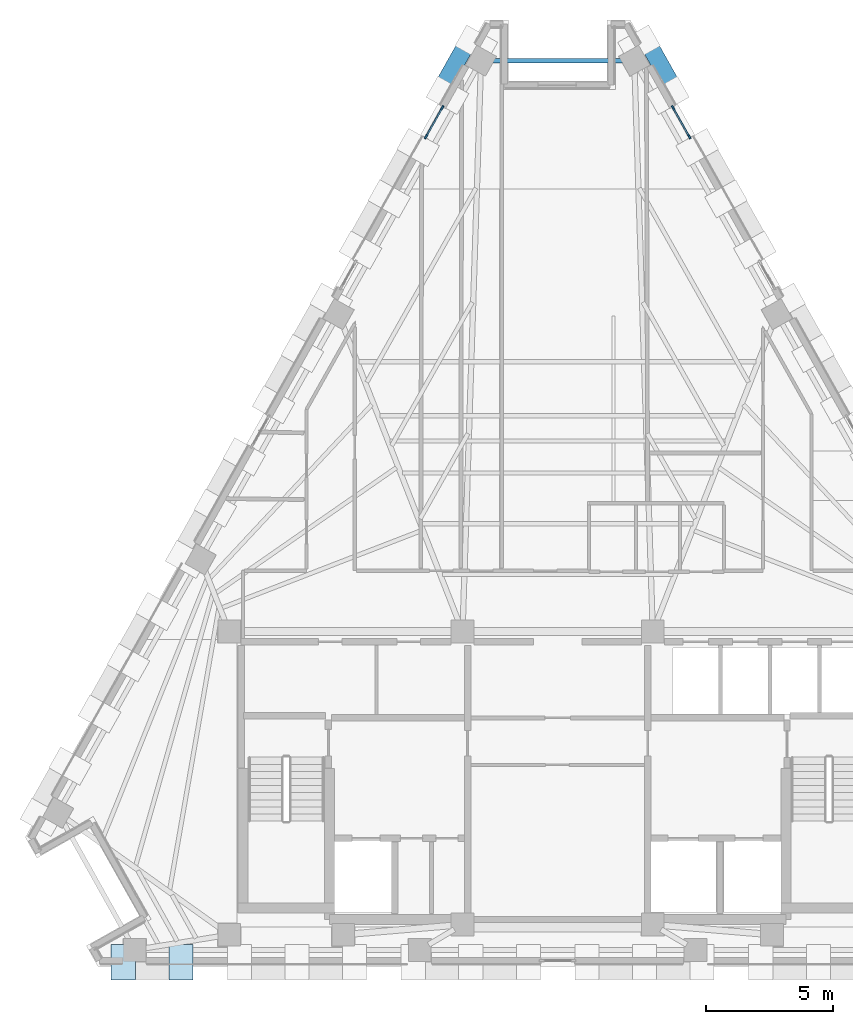
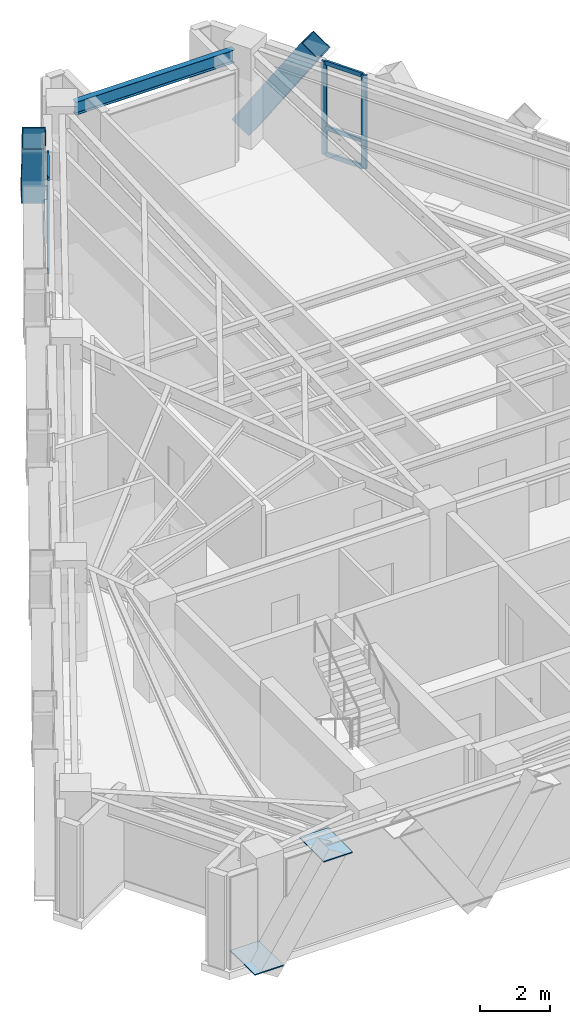
# One storey, part 5 of 12: 12 members, 2 plates, 1 beam, 2 elements without a shape of their own.
"""IFC4 building model written with IfcOpenShell, lengths in metres."""

from ifc_helpers import new_model, si_unit, direction, frame, origin, origin_2d, place, context, subcontext, project, spatial, rectangle, hollow_rectangle, i_section, extrude, material, layer, layer_set, material_profile, profile_set, type_object, element, aggregate, save


model = new_model("IFC4")

# Units and contexts
model_context = context("Model", 3, precision=1e-05, world=origin(), true_north=direction((0.0, 1.0)))
body_context = subcontext(model_context, "Body", "Model", "MODEL_VIEW")
ifc_project = project(units=[si_unit("LENGTHUNIT", "METRE"), si_unit("AREAUNIT", "SQUARE_METRE"), si_unit("VOLUMEUNIT", "CUBIC_METRE"), si_unit("PLANEANGLEUNIT", "RADIAN"), si_unit("MASSUNIT", "GRAM", prefix="KILO")], contexts=[model_context])

# Site, building, storey
site_placement = place(None, origin())
site = spatial("IfcSite", under=ifc_project, at=site_placement, CompositionType="ELEMENT")
building_placement = place(site_placement, origin())
building = spatial("IfcBuilding", under=site, at=building_placement, Name="Quenlor Broadcast Tower", CompositionType="ELEMENT")
storey_placement = place(building_placement, frame((0.0, 0.0, 190.39990234375)))
storey = spatial("IfcBuildingStorey", under=building, at=storey_placement, Name="L52", CompositionType="ELEMENT", Elevation=190.39990234375)

# Curtain wall, members
ifc_material_1 = material(Name="Architectural Terracotta and Low-E Glazing", Category="masonry")
curtain_wall_type = type_object("IfcCurtainWallType", Name="Unitised Terracotta Curtain Wall System Z4", PredefinedType="NOTDEFINED", material=ifc_material_1)
curtain_wall_1_placement = place(storey_placement, origin())
curtain_wall_1 = element("IfcCurtainWall", 1, at=curtain_wall_1_placement, inside=storey, type_object=curtain_wall_type, Name="L52 Curtain Wall CW4 (L52-NEA-G1)", PredefinedType="NOTDEFINED")
ifc_material_2 = material(Name="Aluminium 6063-T6", Category="aluminium")
ifc_material_profile_1 = material_profile(ifc_material_2, rectangle(XDim=0.068115234375, YDim=0.179931640625, at=origin_2d()))
ifc_profile_set_1 = profile_set([ifc_material_profile_1], Name="Aluminium 6063-T6 MULL68x180")
member_type_1 = type_object("IfcMemberType", Name="CW4 Aluminium Mullion MULL_CW4", PredefinedType="MULLION", material=ifc_profile_set_1)
member_1_placement = place(storey_placement, frame((4.550048828125, 15.85205078125, 0.0), z_axis=(0.0, 0.0, 1.0), x_axis=(0.871560008943, 0.490288844266, 0.0)))
member_1 = element("IfcMember", 2, at=member_1_placement, type_object=member_type_1, Name="CW4 mullion 1", PredefinedType="MULLION", context=body_context, shape_type="SweptSolid", body=[
    extrude(rectangle(XDim=0.068115234375, YDim=0.179931640625, at=origin_2d()), origin(), (0.0, 0.0, 1.0), 3.25),
])
member_2_placement = place(storey_placement, frame((5.19140625, 14.7119140625, 0.0), z_axis=(0.0, 0.0, 1.0), x_axis=(0.871560008943, 0.490288844266, 0.0)))
member_2 = element("IfcMember", 3, at=member_2_placement, type_object=member_type_1, Name="CW4 mullion 2", PredefinedType="MULLION", context=body_context, shape_type="SweptSolid", body=[
    extrude(rectangle(XDim=0.068115234375, YDim=0.179931640625, at=origin_2d()), origin(), (0.0, 0.0, 1.0), 3.25),
])

curtain_wall_2_placement = place(storey_placement, origin())
curtain_wall_2 = element("IfcCurtainWall", 4, at=curtain_wall_2_placement, inside=storey, type_object=curtain_wall_type, Name="L52 Curtain Wall CW4 (L52-NWC-G2)", PredefinedType="NOTDEFINED")
member_3_placement = place(storey_placement, frame((-5.19140625, 14.7119140625, 0.0), z_axis=(0.0, 0.0, 1.0), x_axis=(-0.871560008943, 0.490288844266, 0.0)))
member_3 = element("IfcMember", 5, at=member_3_placement, type_object=member_type_1, Name="CW4 mullion 1", PredefinedType="MULLION", context=body_context, shape_type="SweptSolid", body=[
    extrude(rectangle(XDim=0.068115234375, YDim=0.179931640625, at=origin_2d()), origin(), (0.0, 0.0, 1.0), 3.25),
])
member_4_placement = place(storey_placement, frame((-4.550048828125, 15.85205078125, 0.0), z_axis=(0.0, 0.0, 1.0), x_axis=(-0.871560008943, 0.490288844266, 0.0)))
member_4 = element("IfcMember", 6, at=member_4_placement, type_object=member_type_1, Name="CW4 mullion 2", PredefinedType="MULLION", context=body_context, shape_type="SweptSolid", body=[
    extrude(rectangle(XDim=0.068115234375, YDim=0.179931640625, at=origin_2d()), origin(), (0.0, 0.0, 1.0), 3.25),
])

# Member
ifc_material_3 = material(Name="Aluminium 6063-T6", Category="aluminium")
ifc_material_profile_2 = material_profile(ifc_material_3, rectangle(XDim=0.068115234375, YDim=0.14990234375, at=origin_2d()))
ifc_profile_set_2 = profile_set([ifc_material_profile_2], Name="Aluminium 6063-T6 TRAN68x150")
member_type_2 = type_object("IfcMemberType", Name="CW4 Aluminium Transom TRAN_CW4", PredefinedType="USERDEFINED", material=ifc_profile_set_2)
member_5_placement = place(storey_placement, frame((4.566650390625, 15.822265625, 0.0341796875), z_axis=(0.490317332982, -0.871543982239, 0.0), x_axis=(0.871543982239, 0.490317332982, 0.0)))
member_5 = element("IfcMember", 7, at=member_5_placement, type_object=member_type_2, Name="CW4 transom 1.1", ObjectType="TRANSOM", PredefinedType="USERDEFINED", context=body_context, shape_type="SweptSolid", body=[
    extrude(rectangle(XDim=0.068115234375, YDim=0.14990234375, at=origin_2d()), origin(), (0.0, 0.0, 1.0), 1.23974609375),
])

member_6_placement = place(storey_placement, frame((4.566650390625, 15.822265625, 0.9501953125), z_axis=(0.490317332982, -0.871543982239, 0.0), x_axis=(0.871543982239, 0.490317332982, 0.0)))
member_6 = element("IfcMember", 8, at=member_6_placement, type_object=member_type_2, Name="CW4 transom 1.2", ObjectType="TRANSOM", PredefinedType="USERDEFINED", context=body_context, shape_type="SweptSolid", body=[
    extrude(rectangle(XDim=0.068115234375, YDim=0.14990234375, at=origin_2d()), origin(), (0.0, 0.0, 1.0), 1.23974609375),
])

member_7_placement = place(storey_placement, frame((4.566650390625, 15.822265625, 3.216064453125), z_axis=(0.490317332982, -0.871543982239, 0.0), x_axis=(0.871543982239, 0.490317332982, 0.0)))
member_7 = element("IfcMember", 9, at=member_7_placement, type_object=member_type_2, Name="CW4 transom 1.3", ObjectType="TRANSOM", PredefinedType="USERDEFINED", context=body_context, shape_type="SweptSolid", body=[
    extrude(rectangle(XDim=0.068115234375, YDim=0.14990234375, at=origin_2d()), origin(), (0.0, 0.0, 1.0), 1.23974609375),
])

aggregate(curtain_wall_1, [member_1, member_2, member_5, member_6, member_7])

member_8_placement = place(storey_placement, frame((-5.174560546875, 14.74169921875, 0.0341796875), z_axis=(0.490317332982, 0.871543982239, 0.0), x_axis=(-0.871543982239, 0.490317332982, 0.0)))
member_8 = element("IfcMember", 10, at=member_8_placement, type_object=member_type_2, Name="CW4 transom 1.1", ObjectType="TRANSOM", PredefinedType="USERDEFINED", context=body_context, shape_type="SweptSolid", body=[
    extrude(rectangle(XDim=0.068115234375, YDim=0.14990234375, at=origin_2d()), origin(), (0.0, 0.0, 1.0), 1.23974609375),
])

member_9_placement = place(storey_placement, frame((-5.174560546875, 14.74169921875, 0.9501953125), z_axis=(0.490317332982, 0.871543982239, 0.0), x_axis=(-0.871543982239, 0.490317332982, 0.0)))
member_9 = element("IfcMember", 11, at=member_9_placement, type_object=member_type_2, Name="CW4 transom 1.2", ObjectType="TRANSOM", PredefinedType="USERDEFINED", context=body_context, shape_type="SweptSolid", body=[
    extrude(rectangle(XDim=0.068115234375, YDim=0.14990234375, at=origin_2d()), origin(), (0.0, 0.0, 1.0), 1.23974609375),
])

member_10_placement = place(storey_placement, frame((-5.174560546875, 14.74169921875, 3.216064453125), z_axis=(0.490317332982, 0.871543982239, 0.0), x_axis=(-0.871543982239, 0.490317332982, 0.0)))
member_10 = element("IfcMember", 12, at=member_10_placement, type_object=member_type_2, Name="CW4 transom 1.3", ObjectType="TRANSOM", PredefinedType="USERDEFINED", context=body_context, shape_type="SweptSolid", body=[
    extrude(rectangle(XDim=0.068115234375, YDim=0.14990234375, at=origin_2d()), origin(), (0.0, 0.0, 1.0), 1.23974609375),
])

aggregate(curtain_wall_2, [member_3, member_4, member_8, member_9, member_10])

# Members
ifc_material_4 = material(Name="Steel S355", Category="steel")
ifc_material_profile_3 = material_profile(ifc_material_4, hollow_rectangle(XDim=0.679931640625, YDim=0.679931640625, WallThickness=0.02490234375, at=origin_2d()))
ifc_profile_set_3 = profile_set([ifc_material_profile_3], Name="Steel S355 RHS680x680x25")
member_type_3 = type_object("IfcMemberType", Name="Perimeter Diagonal Lattice Brace Z3-Z4 Steel S355 RHS680x25", PredefinedType="BRACE", material=ifc_profile_set_3)
for number, where, z_axis, x_axis, name in (
    (13, (3.50732421875, 18.51171875, -0.119873046875), (0.269539530269, -0.479181387144, 0.835304519224), (0.871575537125, 0.490261239633, 0.0), "L52 Perimeter Diamond Lattice NE-C1S"),
    (14, (-3.50732421875, 18.51171875, -0.119873046875), (-0.269539530269, -0.479181387144, 0.835304519224), (0.871575537125, -0.490261239633, 0.0), "L52 Perimeter Diamond Lattice NW-C5B"),
):
    element("IfcMember", number, at=place(storey_placement, frame(where, z_axis=z_axis, x_axis=x_axis)), inside=storey, type_object=member_type_3, Name=name, PredefinedType="BRACE", context=body_context, shape_type="SweptSolid", body=[
        extrude(hollow_rectangle(XDim=0.679931640625, YDim=0.679931640625, WallThickness=0.02490234375, at=origin_2d()), origin(), (0.0, 0.0, 1.0), 4.190185546875),
    ])

# Beam
ifc_material_5 = material(Name="Steel S355", Category="steel")
ifc_material_profile_4 = material_profile(ifc_material_5, i_section(OverallWidth=0.18994140625, OverallDepth=0.453857421875, WebThickness=0.008544921875, FlangeThickness=0.0126953125, FilletRadius=0.011474609375, at=origin_2d()))
ifc_profile_set_4 = profile_set([ifc_material_profile_4], Name="Steel S355 460UB67.1")
beam_type = type_object("IfcBeamType", Name="Perimeter Spandrel Beam Z4 Steel S355 460UB67.1", PredefinedType="SPANDREL", material=ifc_profile_set_4)
beam_placement = place(storey_placement, frame((2.610595703125, 17.704345703125, 3.023193359375), z_axis=(-1.0, 0.0, 0.0), x_axis=(0.0, -1.0, 0.0)))
element("IfcBeam", 15, at=beam_placement, inside=storey, type_object=beam_type, Name="L52 Spandrel Beam NE4-NW1", PredefinedType="SPANDREL", context=body_context, shape_type="SweptSolid", body=[
    extrude(i_section(OverallWidth=0.18994140625, OverallDepth=0.453857421875, WebThickness=0.008544921875, FlangeThickness=0.0126953125, FilletRadius=0.011474609375, at=origin_2d()), origin(), (0.0, 0.0, 1.0), 5.22119140625),
])

# Plates
ifc_material_6 = material(Name="Steel S355", Category="steel")
ifc_layer = layer(ifc_material_6, 0.035888671875)
ifc_layer_set = layer_set([ifc_layer], Name="Transfer Truss Steel S355 Gusset Node Plate 1400x950x36")
plate_type = type_object("IfcPlateType", Name="Transfer Truss Steel S355 Gusset Node Plate 1400x950x36", PredefinedType="SHEET", material=ifc_layer_set)
for number, where, z_axis, x_axis, name in (
    (16, (-17.1259765625, -17.8349609375, 0.0419921875), (0.0, 0.0, 1.0), (0.0, -1.0, 0.0), "L52 Lattice Tie Gusset Node S-B15"),
    (17, (-14.856201171875, -17.8349609375, 3.18212890625), (0.0, 0.0, 1.0), (0.0, -1.0, 0.0), "L52 Lattice Tie Gusset Node S-T14"),
):
    element("IfcPlate", number, at=place(storey_placement, frame(where, z_axis=z_axis, x_axis=x_axis)), inside=storey, type_object=plate_type, Name=name, PredefinedType="SHEET", context=body_context, shape_type="SweptSolid", body=[
        extrude(rectangle(XDim=1.39990234375, YDim=0.949951171875, at=origin_2d()), origin(), (0.0, 0.0, 1.0), 0.035888671875),
    ])

save(model, "model.ifc")
